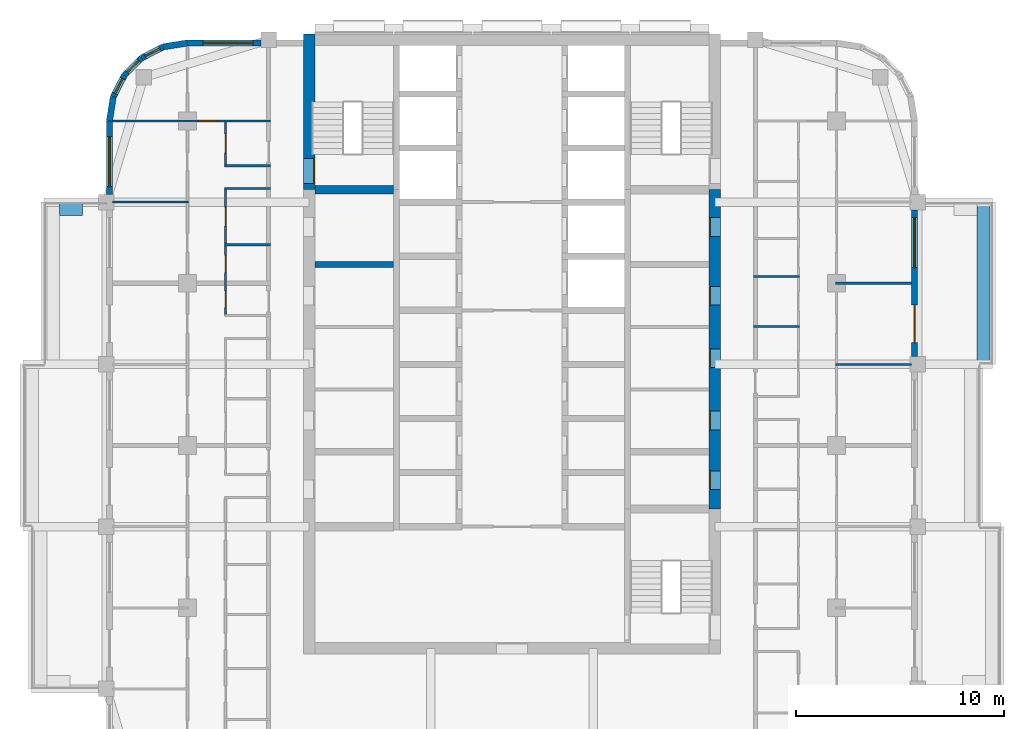
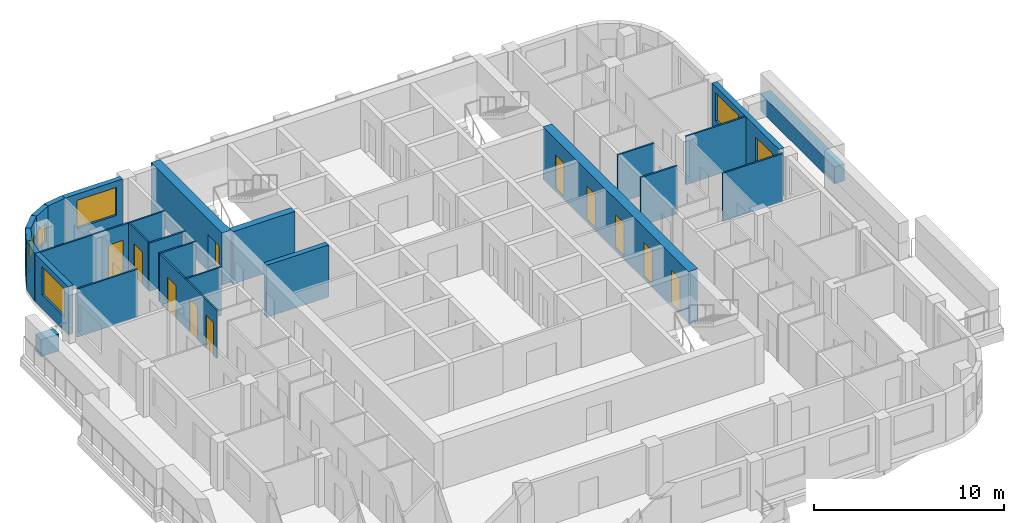
# One storey, part 7 of 13: 25 walls, 12 doors, 6 windows, 18 openings.
"""IFC4 building model written with IfcOpenShell, lengths in metres."""

from ifc_helpers import new_model, si_unit, direction, frame, frame_2d, origin, place, context, subcontext, project, spatial, rectangle, extrude, material, layer, layer_set, type_object, element, fill, save


model = new_model("IFC4")

# Units and contexts
model_context = context("Model", 3, precision=1e-05, world=origin(), true_north=direction((0.0, 1.0)))
body_context = subcontext(model_context, "Body", "Model", "MODEL_VIEW")
ifc_project = project(units=[si_unit("LENGTHUNIT", "METRE"), si_unit("AREAUNIT", "SQUARE_METRE"), si_unit("VOLUMEUNIT", "CUBIC_METRE"), si_unit("PLANEANGLEUNIT", "RADIAN"), si_unit("MASSUNIT", "GRAM", prefix="KILO")], contexts=[model_context])

# Site, building, storey
site_placement = place(None, origin())
site = spatial("IfcSite", under=ifc_project, at=site_placement, CompositionType="ELEMENT")
building_placement = place(site_placement, origin())
building = spatial("IfcBuilding", under=site, at=building_placement, Name="Ludao Terraces", CompositionType="ELEMENT")
storey_placement = place(building_placement, frame((0.0, 0.0, 169.0)))
storey = spatial("IfcBuildingStorey", under=building, at=storey_placement, Name="L46", CompositionType="ELEMENT", Elevation=169.0)

# Wall, opening, door
ifc_material_1 = material(Name="Concrete C60", Category="concrete")
ifc_layer_1 = layer(ifc_material_1, 0.550048828125)
ifc_layer_set_1 = layer_set([ifc_layer_1], Name="Core wall 550 C60")
wall_type_1 = type_object("IfcWallType", Name="Core wall 550 C60", PredefinedType="SOLIDWALL", material=ifc_layer_set_1)
wall_1_placement = place(storey_placement, frame((75.25, 77.300048828125, -0.25), z_axis=(0.0, 0.0, 1.0), x_axis=(0.0, 1.0, 0.0)))
wall_1 = element("IfcWall", 1, at=wall_1_placement, inside=storey, type_object=wall_type_1, Name="Core wall L46 outer-W-S1", PredefinedType="SOLIDWALL", context=body_context, shape_type="SweptSolid", body=[
    extrude(rectangle(XDim=7.474853515625, YDim=0.550048828125, at=frame_2d((3.7373046875, 0.0))), origin(), (0.0, 0.0, 1.0), 3.35009765625),
])
opening_1_placement = place(wall_1_placement, frame((0.300048828125, 0.0, 0.25)))
opening_1 = element("IfcOpeningElement", 2, at=opening_1_placement, cuts=wall_1, Name="Opening R16-076", PredefinedType="OPENING", context=body_context, shape_type="SweptSolid", body=[
    extrude(rectangle(XDim=1.199951171875, YDim=2.10009765625, at=frame_2d((0.60009765625, 1.050048828125))), frame((0.0, 0.28515625, 0.0), z_axis=(0.0, -1.0, 0.0), x_axis=(1.0, 0.0, 0.0)), (0.0, 0.0, 1.0), 0.570068359375),
])
ifc_material_2 = material(Name="Steel Q235", Category="steel")
door_type_1 = type_object("IfcDoorType", Name="INT Stair door 1200", OperationType="DOUBLE_DOOR_SINGLE_SWING", PredefinedType="DOOR", material=ifc_material_2)
door_1_placement = place(opening_1_placement, origin())
door_1 = element("IfcDoor", 3, at=door_1_placement, inside=storey, type_object=door_type_1, Name="DOOR 076", OperationType="DOUBLE_DOOR_SINGLE_SWING", OverallHeight=2.10009765625, OverallWidth=1.199951171875, PredefinedType="DOOR", context=body_context, shape_type="SweptSolid", body=[
    extrude(rectangle(XDim=1.199951171875, YDim=2.10009765625, at=frame_2d((0.60009765625, 1.050048828125))), frame((0.0, -0.2099609375, 0.0), z_axis=(0.0, -1.0, 0.0), x_axis=(1.0, 0.0, 0.0)), (0.0, 0.0, 1.0), 0.050048828125),
])
fill(opening_1, door_1)

# Wall, openings, doors
wall_2_placement = place(storey_placement, frame((94.75, 61.949951171875, -0.25), z_axis=(0.0, 0.0, 1.0), x_axis=(0.0, 1.0, 0.0)))
wall_2 = element("IfcWall", 4, at=wall_2_placement, inside=storey, type_object=wall_type_1, Name="Core wall L46 outer-E", PredefinedType="SOLIDWALL", context=body_context, shape_type="SweptSolid", body=[
    extrude(rectangle(XDim=15.35009765625, YDim=0.550048828125, at=frame_2d((7.675048828125, 0.0))), origin(), (0.0, 0.0, 1.0), 3.35009765625),
])
opening_2_placement = place(wall_2_placement, frame((0.925048828125, 0.0, 0.25)))
opening_2 = element("IfcOpeningElement", 5, at=opening_2_placement, cuts=wall_2, Name="Opening R16-032", PredefinedType="OPENING", context=body_context, shape_type="SweptSolid", body=[
    extrude(rectangle(XDim=0.89990234375, YDim=2.10009765625, at=frame_2d((0.449951171875, 1.050048828125))), frame((0.0, 0.28515625, 0.0), z_axis=(0.0, -1.0, 0.0), x_axis=(1.0, 0.0, 0.0)), (0.0, 0.0, 1.0), 0.570068359375),
])
opening_3_placement = place(wall_2_placement, frame((3.800048828125, 0.0, 0.25)))
opening_3 = element("IfcOpeningElement", 6, at=opening_3_placement, cuts=wall_2, Name="Opening R16-041", PredefinedType="OPENING", context=body_context, shape_type="SweptSolid", body=[
    extrude(rectangle(XDim=0.89990234375, YDim=2.10009765625, at=frame_2d((0.449951171875, 1.050048828125))), frame((0.0, 0.28515625, 0.0), z_axis=(0.0, -1.0, 0.0), x_axis=(1.0, 0.0, 0.0)), (0.0, 0.0, 1.0), 0.570068359375),
])
opening_4_placement = place(wall_2_placement, frame((6.800048828125, 0.0, 0.25)))
opening_4 = element("IfcOpeningElement", 7, at=opening_4_placement, cuts=wall_2, Name="Opening R16-050", PredefinedType="OPENING", context=body_context, shape_type="SweptSolid", body=[
    extrude(rectangle(XDim=0.89990234375, YDim=2.10009765625, at=frame_2d((0.449951171875, 1.050048828125))), frame((0.0, 0.28515625, 0.0), z_axis=(0.0, -1.0, 0.0), x_axis=(1.0, 0.0, 0.0)), (0.0, 0.0, 1.0), 0.570068359375),
])
opening_5_placement = place(wall_2_placement, frame((9.800048828125, 0.0, 0.25)))
opening_5 = element("IfcOpeningElement", 8, at=opening_5_placement, cuts=wall_2, Name="Opening R16-060", PredefinedType="OPENING", context=body_context, shape_type="SweptSolid", body=[
    extrude(rectangle(XDim=0.89990234375, YDim=2.10009765625, at=frame_2d((0.449951171875, 1.050048828125))), frame((0.0, 0.28515625, 0.0), z_axis=(0.0, -1.0, 0.0), x_axis=(1.0, 0.0, 0.0)), (0.0, 0.0, 1.0), 0.570068359375),
])
opening_6_placement = place(wall_2_placement, frame((13.10009765625, 0.0, 0.25)))
opening_6 = element("IfcOpeningElement", 9, at=opening_6_placement, cuts=wall_2, Name="Opening R16-070", PredefinedType="OPENING", context=body_context, shape_type="SweptSolid", body=[
    extrude(rectangle(XDim=0.89990234375, YDim=2.10009765625, at=frame_2d((0.449951171875, 1.050048828125))), frame((0.0, 0.28515625, 0.0), z_axis=(0.0, -1.0, 0.0), x_axis=(1.0, 0.0, 0.0)), (0.0, 0.0, 1.0), 0.570068359375),
])
door_type_2 = type_object("IfcDoorType", Name="INT Riser door 900", OperationType="SINGLE_SWING_LEFT", PredefinedType="DOOR", material=ifc_material_2)
door_2_placement = place(opening_2_placement, origin())
door_2 = element("IfcDoor", 10, at=door_2_placement, inside=storey, type_object=door_type_2, Name="DOOR 032", OperationType="SINGLE_SWING_LEFT", OverallHeight=2.10009765625, OverallWidth=0.89990234375, PredefinedType="DOOR", context=body_context, shape_type="SweptSolid", body=[
    extrude(rectangle(XDim=0.89990234375, YDim=2.10009765625, at=frame_2d((0.449951171875, 1.050048828125))), frame((0.0, 0.26025390625, 0.0), z_axis=(0.0, -1.0, 0.0), x_axis=(1.0, 0.0, 0.0)), (0.0, 0.0, 1.0), 0.050048828125),
])
fill(opening_2, door_2)
door_3_placement = place(opening_6_placement, origin())
door_3 = element("IfcDoor", 11, at=door_3_placement, inside=storey, type_object=door_type_2, Name="DOOR 070", OperationType="SINGLE_SWING_LEFT", OverallHeight=2.10009765625, OverallWidth=0.89990234375, PredefinedType="DOOR", context=body_context, shape_type="SweptSolid", body=[
    extrude(rectangle(XDim=0.89990234375, YDim=2.10009765625, at=frame_2d((0.449951171875, 1.050048828125))), frame((0.0, 0.26025390625, 0.0), z_axis=(0.0, -1.0, 0.0), x_axis=(1.0, 0.0, 0.0)), (0.0, 0.0, 1.0), 0.050048828125),
])
fill(opening_6, door_3)
ifc_material_3 = material(Name="Timber door leaf", Category="wood")
door_type_3 = type_object("IfcDoorType", Name="INT Room door 900", OperationType="SINGLE_SWING_LEFT", PredefinedType="DOOR", material=ifc_material_3)
door_4_placement = place(opening_3_placement, origin())
door_4 = element("IfcDoor", 12, at=door_4_placement, inside=storey, type_object=door_type_3, Name="DOOR 041", OperationType="SINGLE_SWING_LEFT", OverallHeight=2.10009765625, OverallWidth=0.89990234375, PredefinedType="DOOR", context=body_context, shape_type="SweptSolid", body=[
    extrude(rectangle(XDim=0.89990234375, YDim=2.10009765625, at=frame_2d((0.449951171875, 1.050048828125))), frame((0.0, 0.26025390625, 0.0), z_axis=(0.0, -1.0, 0.0), x_axis=(1.0, 0.0, 0.0)), (0.0, 0.0, 1.0), 0.050048828125),
])
fill(opening_3, door_4)
door_5_placement = place(opening_4_placement, origin())
door_5 = element("IfcDoor", 13, at=door_5_placement, inside=storey, type_object=door_type_3, Name="DOOR 050", OperationType="SINGLE_SWING_LEFT", OverallHeight=2.10009765625, OverallWidth=0.89990234375, PredefinedType="DOOR", context=body_context, shape_type="SweptSolid", body=[
    extrude(rectangle(XDim=0.89990234375, YDim=2.10009765625, at=frame_2d((0.449951171875, 1.050048828125))), frame((0.0, 0.26025390625, 0.0), z_axis=(0.0, -1.0, 0.0), x_axis=(1.0, 0.0, 0.0)), (0.0, 0.0, 1.0), 0.050048828125),
])
fill(opening_4, door_5)
door_6_placement = place(opening_5_placement, origin())
door_6 = element("IfcDoor", 14, at=door_6_placement, inside=storey, type_object=door_type_3, Name="DOOR 060", OperationType="SINGLE_SWING_RIGHT", OverallHeight=2.10009765625, OverallWidth=0.89990234375, PredefinedType="DOOR", context=body_context, shape_type="SweptSolid", body=[
    extrude(rectangle(XDim=0.89990234375, YDim=2.10009765625, at=frame_2d((0.449951171875, 1.050048828125))), frame((0.0, 0.26025390625, 0.0), z_axis=(0.0, -1.0, 0.0), x_axis=(1.0, 0.0, 0.0)), (0.0, 0.0, 1.0), 0.050048828125),
])
fill(opening_5, door_6)

# Walls
ifc_material_4 = material(Name="Concrete C40", Category="concrete")
ifc_layer_2 = layer(ifc_material_4, 0.60009765625)
ifc_layer_set_2 = layer_set([ifc_layer_2], Name="ENV Planter trough 600")
wall_type_2 = type_object("IfcWallType", Name="ENV Planter trough 600", PredefinedType="USERDEFINED", material=ifc_layer_set_2)
wall_3_placement = place(storey_placement, frame((107.64990234375, 68.89990234375, 0.0), z_axis=(0.0, 0.0, 1.0), x_axis=(0.0, 1.0, 0.0)))
element("IfcWall", 15, at=wall_3_placement, inside=storey, type_object=wall_type_2, Name="PL-L46-E3", ObjectType="PLANTER", PredefinedType="USERDEFINED", context=body_context, shape_type="SweptSolid", body=[
    extrude(rectangle(XDim=7.800048828125, YDim=0.60009765625, at=frame_2d((3.89990234375, 0.0))), origin(), (0.0, 0.0, 1.0), 1.10009765625),
])
wall_4_placement = place(storey_placement, frame((63.25, 76.35009765625, 0.0), z_axis=(0.0, 0.0, 1.0), x_axis=(1.0, 0.0, 0.0)))
element("IfcWall", 16, at=wall_4_placement, inside=storey, type_object=wall_type_2, Name="PL-L46-W3-SB", ObjectType="PLANTER", PredefinedType="USERDEFINED", context=body_context, shape_type="SweptSolid", body=[
    extrude(rectangle(XDim=1.10009765625, YDim=0.60009765625, at=frame_2d((0.550048828125, 0.0))), origin(), (0.0, 0.0, 1.0), 1.10009765625),
])

# Wall, openings, door, window
ifc_material_5 = material(Name="Granite cladding", Category="masonry")
ifc_layer_3 = layer(ifc_material_5, 0.0400390625, Category="stone")
ifc_material_6 = material(Name="Mineral wool")
ifc_layer_4 = layer(ifc_material_6, 0.06005859375)
ifc_layer_5 = layer(ifc_material_4, 0.199951171875, Category="concrete")
ifc_layer_set_3 = layer_set([ifc_layer_3, ifc_layer_4, ifc_layer_5], Name="ENV Stone-clad wall 300")
wall_type_3 = type_object("IfcWallType", Name="ENV Stone-clad wall 300", PredefinedType="SOLIDWALL", material=ifc_layer_set_3)
wall_5_placement = place(storey_placement, frame((104.35009765625, 69.27490234375, 0.0), z_axis=(0.0, 0.0, 1.0), x_axis=(0.0, 1.0, 0.0)))
wall_5 = element("IfcWall", 17, at=wall_5_placement, inside=storey, type_object=wall_type_3, Name="EW-L46-E4", PredefinedType="SOLIDWALL", context=body_context, shape_type="SweptSolid", body=[
    extrude(rectangle(XDim=7.050048828125, YDim=0.300048828125, at=frame_2d((3.52490234375, 0.0))), origin(), (0.0, 0.0, 1.0), 3.10009765625),
])
opening_7_placement = place(wall_5_placement, frame((0.675048828125, 0.0, 0.0)))
opening_7 = element("IfcOpeningElement", 18, at=opening_7_placement, cuts=wall_5, Name="Opening BD", PredefinedType="OPENING", context=body_context, shape_type="SweptSolid", body=[
    extrude(rectangle(XDim=1.800048828125, YDim=2.39990234375, at=frame_2d((0.89990234375, 1.199951171875))), frame((0.0, 0.16015625, 0.0), z_axis=(0.0, -1.0, 0.0), x_axis=(1.0, 0.0, 0.0)), (0.0, 0.0, 1.0), 0.320068359375),
])
opening_8_placement = place(wall_5_placement, frame((4.27490234375, 0.0, 0.89990234375)))
opening_8 = element("IfcOpeningElement", 19, at=opening_8_placement, cuts=wall_5, Name="Opening W1", PredefinedType="OPENING", context=body_context, shape_type="SweptSolid", body=[
    extrude(rectangle(XDim=2.39990234375, YDim=1.800048828125, at=frame_2d((1.199951171875, 0.89990234375))), frame((0.0, 0.16015625, 0.0), z_axis=(0.0, -1.0, 0.0), x_axis=(1.0, 0.0, 0.0)), (0.0, 0.0, 1.0), 0.320068359375),
])
ifc_material_7 = material(Name="Aluminium glazed door", Category="aluminium")
ifc_layer_6 = layer(ifc_material_7, 0.06005859375)
ifc_layer_set_4 = layer_set([ifc_layer_6], Name="ENV Balcony door BD 1800x2400")
door_type_4 = type_object("IfcDoorType", Name="ENV Balcony door BD 1800x2400", OperationType="DOUBLE_DOOR_SINGLE_SWING", PredefinedType="DOOR", material=ifc_layer_set_4)
door_7_placement = place(opening_7_placement, origin())
door_7 = element("IfcDoor", 20, at=door_7_placement, inside=storey, type_object=door_type_4, Name="BD-L46-E4-1", OperationType="DOUBLE_DOOR_SINGLE_SWING", OverallHeight=2.39990234375, OverallWidth=1.800048828125, PredefinedType="DOOR", context=body_context, shape_type="SweptSolid", body=[
    extrude(rectangle(XDim=1.800048828125, YDim=2.39990234375, at=frame_2d((0.89990234375, 1.199951171875))), frame((0.0, 0.02490234375, 0.0), z_axis=(0.0, -1.0, 0.0), x_axis=(1.0, 0.0, 0.0)), (0.0, 0.0, 1.0), 0.050048828125),
])
fill(opening_7, door_7)
ifc_material_8 = material(Name="Clear glass in aluminium frame", Category="aluminium")
ifc_layer_7 = layer(ifc_material_8, 0.06005859375)
ifc_layer_set_5 = layer_set([ifc_layer_7], Name="ENV Window W1 2400x1800")
window_type_1 = type_object("IfcWindowType", Name="ENV Window W1 2400x1800", PartitioningType="DOUBLE_PANEL_VERTICAL", PredefinedType="WINDOW", material=ifc_layer_set_5)
window_1_placement = place(opening_8_placement, origin())
window_1 = element("IfcWindow", 21, at=window_1_placement, inside=storey, type_object=window_type_1, Name="W-L46-E4-2", OverallHeight=1.800048828125, OverallWidth=2.39990234375, PartitioningType="DOUBLE_PANEL_VERTICAL", PredefinedType="WINDOW", context=body_context, shape_type="SweptSolid", body=[
    extrude(rectangle(XDim=2.39990234375, YDim=1.800048828125, at=frame_2d((1.199951171875, 0.89990234375))), frame((0.0, 0.030029296875, 0.0), z_axis=(0.0, -1.0, 0.0), x_axis=(1.0, 0.0, 0.0)), (0.0, 0.0, 1.0), 0.06005859375),
])
fill(opening_8, window_1)

# Wall, opening, window
wall_6_placement = place(storey_placement, frame((69.39990234375, 84.35009765625, 0.0), z_axis=(0.0, 0.0, 1.0), x_axis=(1.0, 0.0, 0.0)))
wall_6 = element("IfcWall", 22, at=wall_6_placement, inside=storey, type_object=wall_type_3, Name="EW-L46-N1", PredefinedType="SOLIDWALL", context=body_context, shape_type="SweptSolid", body=[
    extrude(rectangle(XDim=3.525146484375, YDim=0.300048828125, at=frame_2d((1.7626953125, 0.0))), origin(), (0.0, 0.0, 1.0), 3.10009765625),
])
opening_9_placement = place(wall_6_placement, frame((0.75, 0.0, 0.89990234375)))
opening_9 = element("IfcOpeningElement", 23, at=opening_9_placement, cuts=wall_6, Name="Opening W1", PredefinedType="OPENING", context=body_context, shape_type="SweptSolid", body=[
    extrude(rectangle(XDim=2.39990234375, YDim=1.800048828125, at=frame_2d((1.199951171875, 0.89990234375))), frame((0.0, 0.16015625, 0.0), z_axis=(0.0, -1.0, 0.0), x_axis=(1.0, 0.0, 0.0)), (0.0, 0.0, 1.0), 0.320068359375),
])
window_2_placement = place(opening_9_placement, origin())
window_2 = element("IfcWindow", 24, at=window_2_placement, inside=storey, type_object=window_type_1, Name="W-L46-N1-1", OverallHeight=1.800048828125, OverallWidth=2.39990234375, PartitioningType="DOUBLE_PANEL_VERTICAL", PredefinedType="WINDOW", context=body_context, shape_type="SweptSolid", body=[
    extrude(rectangle(XDim=2.39990234375, YDim=1.800048828125, at=frame_2d((1.199951171875, 0.89990234375))), frame((0.0, 0.030029296875, 0.0), z_axis=(0.0, -1.0, 0.0), x_axis=(1.0, 0.0, 0.0)), (0.0, 0.0, 1.0), 0.06005859375),
])
fill(opening_9, window_2)

wall_7_placement = place(storey_placement, frame((65.64990234375, 77.074951171875, 0.0), z_axis=(0.0, 0.0, 1.0), x_axis=(0.0, 1.0, 0.0)))
wall_7 = element("IfcWall", 25, at=wall_7_placement, inside=storey, type_object=wall_type_3, Name="EW-L46-W5", PredefinedType="SOLIDWALL", context=body_context, shape_type="SweptSolid", body=[
    extrude(rectangle(XDim=3.525146484375, YDim=0.300048828125, at=frame_2d((1.7626953125, 0.0))), origin(), (0.0, 0.0, 1.0), 3.10009765625),
])
opening_10_placement = place(wall_7_placement, frame((0.375, 0.0, 0.89990234375)))
opening_10 = element("IfcOpeningElement", 26, at=opening_10_placement, cuts=wall_7, Name="Opening W1", PredefinedType="OPENING", context=body_context, shape_type="SweptSolid", body=[
    extrude(rectangle(XDim=2.39990234375, YDim=1.800048828125, at=frame_2d((1.199951171875, 0.89990234375))), frame((0.0, 0.16015625, 0.0), z_axis=(0.0, -1.0, 0.0), x_axis=(1.0, 0.0, 0.0)), (0.0, 0.0, 1.0), 0.320068359375),
])
window_3_placement = place(opening_10_placement, origin())
window_3 = element("IfcWindow", 27, at=window_3_placement, inside=storey, type_object=window_type_1, Name="W-L46-W5-1", OverallHeight=1.800048828125, OverallWidth=2.39990234375, PartitioningType="DOUBLE_PANEL_VERTICAL", PredefinedType="WINDOW", context=body_context, shape_type="SweptSolid", body=[
    extrude(rectangle(XDim=2.39990234375, YDim=1.800048828125, at=frame_2d((1.199951171875, 0.89990234375))), frame((0.0, 0.030029296875, 0.0), z_axis=(0.0, -1.0, 0.0), x_axis=(1.0, 0.0, 0.0)), (0.0, 0.0, 1.0), 0.06005859375),
])
fill(opening_10, window_3)

# Wall
wall_8_placement = place(storey_placement, frame((69.39990234375, 84.35009765625, 0.0), z_axis=(0.0, 0.0, 1.0), x_axis=(-0.987678452879, -0.156496880861, 0.0)))
element("IfcWall", 28, at=wall_8_placement, inside=storey, type_object=wall_type_3, Name="EW-L46-NW1", PredefinedType="SOLIDWALL", context=body_context, shape_type="SweptSolid", body=[
    extrude(rectangle(XDim=1.173095703125, YDim=0.300048828125, at=frame_2d((0.58642578125, 0.0))), origin(), (0.0, 0.0, 1.0), 3.10009765625),
])

# Wall, opening, window
wall_9_placement = place(storey_placement, frame((68.2412109375, 84.16650390625, 0.0), z_axis=(0.0, 0.0, 1.0), x_axis=(-0.890988677504, -0.454025524128, 0.0)))
wall_9 = element("IfcWall", 29, at=wall_9_placement, inside=storey, type_object=wall_type_3, Name="EW-L46-NW2", PredefinedType="SOLIDWALL", context=body_context, shape_type="SweptSolid", body=[
    extrude(rectangle(XDim=1.17333984375, YDim=0.300048828125, at=frame_2d((0.586669921875, 0.0))), origin(), (0.0, 0.0, 1.0), 3.10009765625),
])
opening_11_placement = place(wall_9_placement, frame((0.1865234375, 0.0, 0.89990234375)))
opening_11 = element("IfcOpeningElement", 30, at=opening_11_placement, cuts=wall_9, Name="Opening W3", PredefinedType="OPENING", context=body_context, shape_type="SweptSolid", body=[
    extrude(rectangle(XDim=0.800048828125, YDim=1.199951171875, at=frame_2d((0.39990234375, 0.60009765625))), frame((0.0, 0.16015625, 0.0), z_axis=(0.0, -1.0, 0.0), x_axis=(1.0, 0.0, 0.0)), (0.0, 0.0, 1.0), 0.320068359375),
])
ifc_layer_8 = layer(ifc_material_8, 0.06005859375)
ifc_layer_set_6 = layer_set([ifc_layer_8], Name="ENV Window W3 800x1200")
window_type_2 = type_object("IfcWindowType", Name="ENV Window W3 800x1200", PartitioningType="SINGLE_PANEL", PredefinedType="WINDOW", material=ifc_layer_set_6)
window_4_placement = place(opening_11_placement, origin())
window_4 = element("IfcWindow", 31, at=window_4_placement, inside=storey, type_object=window_type_2, Name="W-L46-NW2", OverallHeight=1.199951171875, OverallWidth=0.800048828125, PartitioningType="SINGLE_PANEL", PredefinedType="WINDOW", context=body_context, shape_type="SweptSolid", body=[
    extrude(rectangle(XDim=0.800048828125, YDim=1.199951171875, at=frame_2d((0.39990234375, 0.60009765625))), frame((0.0, 0.030029296875, 0.0), z_axis=(0.0, -1.0, 0.0), x_axis=(1.0, 0.0, 0.0)), (0.0, 0.0, 1.0), 0.06005859375),
])
fill(opening_11, window_4)

wall_10_placement = place(storey_placement, frame((67.19580078125, 83.6337890625, 0.0), z_axis=(0.0, 0.0, 1.0), x_axis=(-0.707106781187, -0.707106781187, 0.0)))
wall_10 = element("IfcWall", 32, at=wall_10_placement, inside=storey, type_object=wall_type_3, Name="EW-L46-NW3", PredefinedType="SOLIDWALL", context=body_context, shape_type="SweptSolid", body=[
    extrude(rectangle(XDim=1.173095703125, YDim=0.300048828125, at=frame_2d((0.58642578125, 0.0))), origin(), (0.0, 0.0, 1.0), 3.10009765625),
])
opening_12_placement = place(wall_10_placement, frame((0.1865234375, 0.0, 0.89990234375)))
opening_12 = element("IfcOpeningElement", 33, at=opening_12_placement, cuts=wall_10, Name="Opening W3", PredefinedType="OPENING", context=body_context, shape_type="SweptSolid", body=[
    extrude(rectangle(XDim=0.800048828125, YDim=1.199951171875, at=frame_2d((0.39990234375, 0.60009765625))), frame((0.0, 0.16015625, 0.0), z_axis=(0.0, -1.0, 0.0), x_axis=(1.0, 0.0, 0.0)), (0.0, 0.0, 1.0), 0.320068359375),
])
window_5_placement = place(opening_12_placement, origin())
window_5 = element("IfcWindow", 34, at=window_5_placement, inside=storey, type_object=window_type_2, Name="W-L46-NW3", OverallHeight=1.199951171875, OverallWidth=0.800048828125, PartitioningType="SINGLE_PANEL", PredefinedType="WINDOW", context=body_context, shape_type="SweptSolid", body=[
    extrude(rectangle(XDim=0.800048828125, YDim=1.199951171875, at=frame_2d((0.39990234375, 0.60009765625))), frame((0.0, 0.030029296875, 0.0), z_axis=(0.0, -1.0, 0.0), x_axis=(1.0, 0.0, 0.0)), (0.0, 0.0, 1.0), 0.06005859375),
])
fill(opening_12, window_5)

wall_11_placement = place(storey_placement, frame((66.3662109375, 82.80419921875, 0.0), z_axis=(0.0, 0.0, 1.0), x_axis=(-0.454025524128, -0.890988677504, 0.0)))
wall_11 = element("IfcWall", 35, at=wall_11_placement, inside=storey, type_object=wall_type_3, Name="EW-L46-NW4", PredefinedType="SOLIDWALL", context=body_context, shape_type="SweptSolid", body=[
    extrude(rectangle(XDim=1.17333984375, YDim=0.300048828125, at=frame_2d((0.586669921875, 0.0))), origin(), (0.0, 0.0, 1.0), 3.10009765625),
])
opening_13_placement = place(wall_11_placement, frame((0.1865234375, 0.0, 0.89990234375)))
opening_13 = element("IfcOpeningElement", 36, at=opening_13_placement, cuts=wall_11, Name="Opening W3", PredefinedType="OPENING", context=body_context, shape_type="SweptSolid", body=[
    extrude(rectangle(XDim=0.800048828125, YDim=1.199951171875, at=frame_2d((0.39990234375, 0.60009765625))), frame((0.0, 0.16015625, 0.0), z_axis=(0.0, -1.0, 0.0), x_axis=(1.0, 0.0, 0.0)), (0.0, 0.0, 1.0), 0.320068359375),
])
window_6_placement = place(opening_13_placement, origin())
window_6 = element("IfcWindow", 37, at=window_6_placement, inside=storey, type_object=window_type_2, Name="W-L46-NW4", OverallHeight=1.199951171875, OverallWidth=0.800048828125, PartitioningType="SINGLE_PANEL", PredefinedType="WINDOW", context=body_context, shape_type="SweptSolid", body=[
    extrude(rectangle(XDim=0.800048828125, YDim=1.199951171875, at=frame_2d((0.39990234375, 0.60009765625))), frame((0.0, 0.030029296875, 0.0), z_axis=(0.0, -1.0, 0.0), x_axis=(1.0, 0.0, 0.0)), (0.0, 0.0, 1.0), 0.06005859375),
])
fill(opening_13, window_6)

# Walls
wall_12_placement = place(storey_placement, frame((65.83349609375, 81.7587890625, 0.0), z_axis=(0.0, 0.0, 1.0), x_axis=(-0.156496880861, -0.987678452879, 0.0)))
element("IfcWall", 38, at=wall_12_placement, inside=storey, type_object=wall_type_3, Name="EW-L46-NW5", PredefinedType="SOLIDWALL", context=body_context, shape_type="SweptSolid", body=[
    extrude(rectangle(XDim=1.173095703125, YDim=0.300048828125, at=frame_2d((0.58642578125, 0.0))), origin(), (0.0, 0.0, 1.0), 3.10009765625),
])
ifc_material_9 = material(Name="Gypsum plasterboard", Category="gypsum")
ifc_layer_9 = layer(ifc_material_9, 0.012451171875, Category="gypsum")
ifc_layer_10 = layer(ifc_material_6, 0.06005859375, Name="insulation")
ifc_layer_11 = layer(ifc_material_2, 0.014892578125, Name="stud")
ifc_layer_12 = layer(ifc_material_9, 0.012451171875, Category="gypsum")
ifc_layer_set_7 = layer_set([ifc_layer_9, ifc_layer_10, ifc_layer_11, ifc_layer_12], Name="INT Partition 100")
wall_type_4 = type_object("IfcWallType", Name="INT Partition 100", PredefinedType="PARTITIONING", material=ifc_layer_set_7)
wall_13_placement = place(storey_placement, frame((100.550048828125, 68.89990234375, 0.0), z_axis=(0.0, 0.0, 1.0), x_axis=(1.0, 0.0, 0.0)))
element("IfcWall", 39, at=wall_13_placement, inside=storey, type_object=wall_type_4, Name="PW-L46-PW029", PredefinedType="PARTITIONING", context=body_context, shape_type="SweptSolid", body=[
    extrude(rectangle(XDim=3.650146484375, YDim=0.10009765625, at=frame_2d((1.8251953125, 0.0))), origin(), (0.0, 0.0, 1.0), 3.10009765625),
])
wall_14_placement = place(storey_placement, frame((96.60009765625, 70.719970703125, 0.0), z_axis=(0.0, 0.0, 1.0), x_axis=(1.0, 0.0, 0.0)))
element("IfcWall", 40, at=wall_14_placement, inside=storey, type_object=wall_type_4, Name="PW-L46-PW033", PredefinedType="PARTITIONING", context=body_context, shape_type="SweptSolid", body=[
    extrude(rectangle(XDim=2.219970703125, YDim=0.10009765625, at=frame_2d((1.10986328125, 0.0))), origin(), (0.0, 0.0, 1.0), 3.10009765625),
])
wall_15_placement = place(storey_placement, frame((100.550048828125, 72.800048828125, 0.0), z_axis=(0.0, 0.0, 1.0), x_axis=(1.0, 0.0, 0.0)))
element("IfcWall", 41, at=wall_15_placement, inside=storey, type_object=wall_type_4, Name="PW-L46-PW037", PredefinedType="PARTITIONING", context=body_context, shape_type="SweptSolid", body=[
    extrude(rectangle(XDim=3.650146484375, YDim=0.10009765625, at=frame_2d((1.8251953125, 0.0))), origin(), (0.0, 0.0, 1.0), 3.10009765625),
])
for number, where, z_axis, x_axis, name in (
    (42, (96.60009765625, 73.1201171875, 0.0), (0.0, 0.0, 1.0), (1.0, 0.0, 0.0), "PW-L46-PW038"),
    (43, (71.18017578125, 74.64990234375, 0.0), (0.0, 0.0, 1.0), (1.0, 0.0, 0.0), "PW-L46-PW039"),
):
    element("IfcWall", number, at=place(storey_placement, frame(where, z_axis=z_axis, x_axis=x_axis)), inside=storey, type_object=wall_type_4, Name=name, PredefinedType="PARTITIONING", context=body_context, shape_type="SweptSolid", body=[
        extrude(rectangle(XDim=2.219970703125, YDim=0.10009765625, at=frame_2d((1.10986328125, 0.0))), origin(), (0.0, 0.0, 1.0), 3.10009765625),
    ])
wall_16_placement = place(storey_placement, frame((65.800048828125, 76.699951171875, 0.0), z_axis=(0.0, 0.0, 1.0), x_axis=(1.0, 0.0, 0.0)))
element("IfcWall", 44, at=wall_16_placement, inside=storey, type_object=wall_type_4, Name="PW-L46-PW041", PredefinedType="PARTITIONING", context=body_context, shape_type="SweptSolid", body=[
    extrude(rectangle(XDim=3.650146484375, YDim=0.10009765625, at=frame_2d((1.8251953125, 0.0))), origin(), (0.0, 0.0, 1.0), 3.10009765625),
])
for number, where, z_axis, x_axis, name in (
    (45, (71.18017578125, 77.35009765625, 0.0), (0.0, 0.0, 1.0), (1.0, 0.0, 0.0), "PW-L46-PW044"),
    (46, (71.18017578125, 78.449951171875, 0.0), (0.0, 0.0, 1.0), (1.0, 0.0, 0.0), "PW-L46-PW046"),
):
    element("IfcWall", number, at=place(storey_placement, frame(where, z_axis=z_axis, x_axis=x_axis)), inside=storey, type_object=wall_type_4, Name=name, PredefinedType="PARTITIONING", context=body_context, shape_type="SweptSolid", body=[
        extrude(rectangle(XDim=2.219970703125, YDim=0.10009765625, at=frame_2d((1.10986328125, 0.0))), origin(), (0.0, 0.0, 1.0), 3.10009765625),
    ])

# Wall, opening, door
wall_17_placement = place(storey_placement, frame((65.800048828125, 80.60009765625, 0.0), z_axis=(0.0, 0.0, 1.0), x_axis=(1.0, 0.0, 0.0)))
wall_17 = element("IfcWall", 47, at=wall_17_placement, inside=storey, type_object=wall_type_4, Name="PW-L46-PW047", PredefinedType="PARTITIONING", context=body_context, shape_type="SweptSolid", body=[
    extrude(rectangle(XDim=7.60009765625, YDim=0.10009765625, at=frame_2d((3.800048828125, 0.0))), origin(), (0.0, 0.0, 1.0), 3.10009765625),
])
opening_14_placement = place(wall_17_placement, frame((4.139892578125, 0.0, 0.0)))
opening_14 = element("IfcOpeningElement", 48, at=opening_14_placement, cuts=wall_17, Name="Opening R16-083", PredefinedType="OPENING", context=body_context, shape_type="SweptSolid", body=[
    extrude(rectangle(XDim=0.89990234375, YDim=2.10009765625, at=frame_2d((0.449951171875, 1.050048828125))), frame((0.0, 0.06005859375, 0.0), z_axis=(0.0, -1.0, 0.0), x_axis=(1.0, 0.0, 0.0)), (0.0, 0.0, 1.0), 0.1201171875),
])
door_8_placement = place(opening_14_placement, origin())
door_8 = element("IfcDoor", 49, at=door_8_placement, inside=storey, type_object=door_type_3, Name="DOOR 083", OperationType="SINGLE_SWING_LEFT", OverallHeight=2.10009765625, OverallWidth=0.89990234375, PredefinedType="DOOR", context=body_context, shape_type="SweptSolid", body=[
    extrude(rectangle(XDim=0.89990234375, YDim=2.10009765625, at=frame_2d((0.449951171875, 1.050048828125))), frame((0.0, 0.02490234375, 0.0), z_axis=(0.0, -1.0, 0.0), x_axis=(1.0, 0.0, 0.0)), (0.0, 0.0, 1.0), 0.050048828125),
])
fill(opening_14, door_8)

# Wall, openings, doors
wall_18_placement = place(storey_placement, frame((71.22998046875, 71.300048828125, 0.0), z_axis=(0.0, 0.0, 1.0), x_axis=(0.0, 1.0, 0.0)))
wall_18 = element("IfcWall", 50, at=wall_18_placement, inside=storey, type_object=wall_type_4, Name="PW-L46-PW052", PredefinedType="PARTITIONING", context=body_context, shape_type="SweptSolid", body=[
    extrude(rectangle(XDim=6.0, YDim=0.10009765625, at=frame_2d((3.0, 0.0))), origin(), (0.0, 0.0, 1.0), 3.10009765625),
])
opening_15_placement = place(wall_18_placement, frame((0.324951171875, 0.0, 0.0)))
opening_15 = element("IfcOpeningElement", 51, at=opening_15_placement, cuts=wall_18, Name="Opening R16-058", PredefinedType="OPENING", context=body_context, shape_type="SweptSolid", body=[
    extrude(rectangle(XDim=0.800048828125, YDim=2.10009765625, at=frame_2d((0.39990234375, 1.050048828125))), frame((0.0, 0.06005859375, 0.0), z_axis=(0.0, -1.0, 0.0), x_axis=(1.0, 0.0, 0.0)), (0.0, 0.0, 1.0), 0.1201171875),
])
opening_16_placement = place(wall_18_placement, frame((2.02490234375, 0.0, 0.0)))
opening_16 = element("IfcOpeningElement", 52, at=opening_16_placement, cuts=wall_18, Name="Opening R16-063", PredefinedType="OPENING", context=body_context, shape_type="SweptSolid", body=[
    extrude(rectangle(XDim=0.800048828125, YDim=2.10009765625, at=frame_2d((0.39990234375, 1.050048828125))), frame((0.0, 0.06005859375, 0.0), z_axis=(0.0, -1.0, 0.0), x_axis=(1.0, 0.0, 0.0)), (0.0, 0.0, 1.0), 0.1201171875),
])
opening_17_placement = place(wall_18_placement, frame((4.25, 0.0, 0.0)))
opening_17 = element("IfcOpeningElement", 53, at=opening_17_placement, cuts=wall_18, Name="Opening R16-071", PredefinedType="OPENING", context=body_context, shape_type="SweptSolid", body=[
    extrude(rectangle(XDim=0.89990234375, YDim=2.10009765625, at=frame_2d((0.449951171875, 1.050048828125))), frame((0.0, 0.06005859375, 0.0), z_axis=(0.0, -1.0, 0.0), x_axis=(1.0, 0.0, 0.0)), (0.0, 0.0, 1.0), 0.1201171875),
])
door_9_placement = place(opening_17_placement, origin())
door_9 = element("IfcDoor", 54, at=door_9_placement, inside=storey, type_object=door_type_3, Name="DOOR 071", OperationType="SINGLE_SWING_RIGHT", OverallHeight=2.10009765625, OverallWidth=0.89990234375, PredefinedType="DOOR", context=body_context, shape_type="SweptSolid", body=[
    extrude(rectangle(XDim=0.89990234375, YDim=2.10009765625, at=frame_2d((0.449951171875, 1.050048828125))), frame((0.0, 0.02490234375, 0.0), z_axis=(0.0, -1.0, 0.0), x_axis=(1.0, 0.0, 0.0)), (0.0, 0.0, 1.0), 0.050048828125),
])
fill(opening_17, door_9)
door_type_5 = type_object("IfcDoorType", Name="INT Store door 800", OperationType="SINGLE_SWING_LEFT", PredefinedType="DOOR", material=ifc_material_3)
door_10_placement = place(opening_15_placement, origin())
door_10 = element("IfcDoor", 55, at=door_10_placement, inside=storey, type_object=door_type_5, Name="DOOR 058", OperationType="SINGLE_SWING_LEFT", OverallHeight=2.10009765625, OverallWidth=0.800048828125, PredefinedType="DOOR", context=body_context, shape_type="SweptSolid", body=[
    extrude(rectangle(XDim=0.800048828125, YDim=2.10009765625, at=frame_2d((0.39990234375, 1.050048828125))), frame((0.0, 0.02490234375, 0.0), z_axis=(0.0, -1.0, 0.0), x_axis=(1.0, 0.0, 0.0)), (0.0, 0.0, 1.0), 0.050048828125),
])
fill(opening_15, door_10)
door_11_placement = place(opening_16_placement, origin())
door_11 = element("IfcDoor", 56, at=door_11_placement, inside=storey, type_object=door_type_5, Name="DOOR 063", OperationType="SINGLE_SWING_RIGHT", OverallHeight=2.10009765625, OverallWidth=0.800048828125, PredefinedType="DOOR", context=body_context, shape_type="SweptSolid", body=[
    extrude(rectangle(XDim=0.800048828125, YDim=2.10009765625, at=frame_2d((0.39990234375, 1.050048828125))), frame((0.0, 0.02490234375, 0.0), z_axis=(0.0, -1.0, 0.0), x_axis=(1.0, 0.0, 0.0)), (0.0, 0.0, 1.0), 0.050048828125),
])
fill(opening_16, door_11)

# Wall, opening, door
wall_19_placement = place(storey_placement, frame((71.22998046875, 78.5, 0.0), z_axis=(0.0, 0.0, 1.0), x_axis=(0.0, 1.0, 0.0)))
wall_19 = element("IfcWall", 57, at=wall_19_placement, inside=storey, type_object=wall_type_4, Name="PW-L46-PW053", PredefinedType="PARTITIONING", context=body_context, shape_type="SweptSolid", body=[
    extrude(rectangle(XDim=2.050048828125, YDim=0.10009765625, at=frame_2d((1.02490234375, 0.0))), origin(), (0.0, 0.0, 1.0), 3.10009765625),
])
opening_18_placement = place(wall_19_placement, frame((0.5751953125, 0.0, 0.0)))
opening_18 = element("IfcOpeningElement", 58, at=opening_18_placement, cuts=wall_19, Name="Opening R16-082", PredefinedType="OPENING", context=body_context, shape_type="SweptSolid", body=[
    extrude(rectangle(XDim=0.89990234375, YDim=2.10009765625, at=frame_2d((0.449951171875, 1.050048828125))), frame((0.0, 0.06005859375, 0.0), z_axis=(0.0, -1.0, 0.0), x_axis=(1.0, 0.0, 0.0)), (0.0, 0.0, 1.0), 0.1201171875),
])
door_type_6 = type_object("IfcDoorType", Name="INT Bathroom door 900", OperationType="SINGLE_SWING_LEFT", PredefinedType="DOOR", material=ifc_material_3)
door_12_placement = place(opening_18_placement, origin())
door_12 = element("IfcDoor", 59, at=door_12_placement, inside=storey, type_object=door_type_6, Name="DOOR 082", OperationType="SINGLE_SWING_RIGHT", OverallHeight=2.10009765625, OverallWidth=0.89990234375, PredefinedType="DOOR", context=body_context, shape_type="SweptSolid", body=[
    extrude(rectangle(XDim=0.89990234375, YDim=2.10009765625, at=frame_2d((0.449951171875, 1.050048828125))), frame((0.0, 0.02490234375, 0.0), z_axis=(0.0, -1.0, 0.0), x_axis=(1.0, 0.0, 0.0)), (0.0, 0.0, 1.0), 0.050048828125),
])
fill(opening_18, door_12)

# Walls
ifc_material_10 = material(Name="Concrete C55", Category="concrete")
ifc_layer_13 = layer(ifc_material_10, 0.300048828125)
ifc_layer_set_8 = layer_set([ifc_layer_13], Name="Shaft wall 300 C55")
wall_type_5 = type_object("IfcWallType", Name="Shaft wall 300 C55", PredefinedType="SOLIDWALL", material=ifc_layer_set_8)
wall_20_placement = place(storey_placement, frame((75.52490234375, 73.699951171875, -0.25), z_axis=(0.0, 0.0, 1.0), x_axis=(1.0, 0.0, 0.0)))
element("IfcWall", 60, at=wall_20_placement, inside=storey, type_object=wall_type_5, Name="Core wall L46 riser-b-W", PredefinedType="SOLIDWALL", context=body_context, shape_type="SweptSolid", body=[
    extrude(rectangle(XDim=3.775146484375, YDim=0.300048828125, at=frame_2d((1.8876953125, 0.0))), origin(), (0.0, 0.0, 1.0), 3.35009765625),
])
ifc_layer_14 = layer(ifc_material_10, 0.39990234375)
ifc_layer_set_9 = layer_set([ifc_layer_14], Name="Shaft wall 400 C55")
wall_type_6 = type_object("IfcWallType", Name="Shaft wall 400 C55", PredefinedType="SOLIDWALL", material=ifc_layer_set_9)
wall_21_placement = place(storey_placement, frame((75.52490234375, 77.300048828125, -0.25), z_axis=(0.0, 0.0, 1.0), x_axis=(1.0, 0.0, 0.0)))
element("IfcWall", 61, at=wall_21_placement, inside=storey, type_object=wall_type_6, Name="Core wall L46 stair-W", PredefinedType="SOLIDWALL", context=body_context, shape_type="SweptSolid", body=[
    extrude(rectangle(XDim=3.775146484375, YDim=0.39990234375, at=frame_2d((1.8876953125, 0.0))), origin(), (0.0, 0.0, 1.0), 3.35009765625),
])

save(model, "model.ifc")
